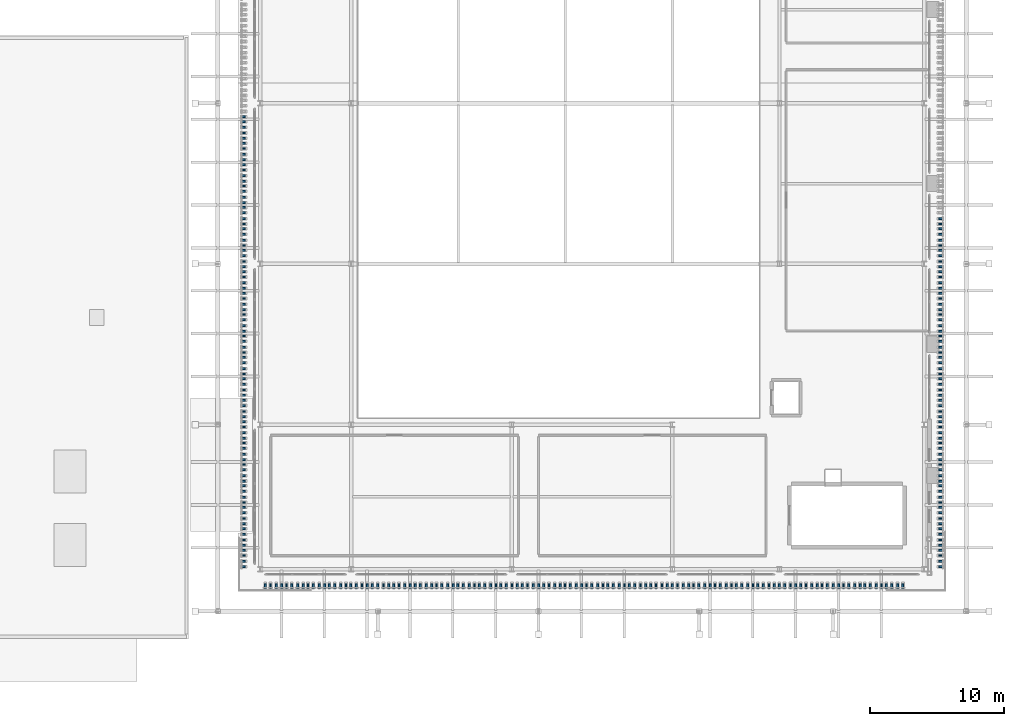
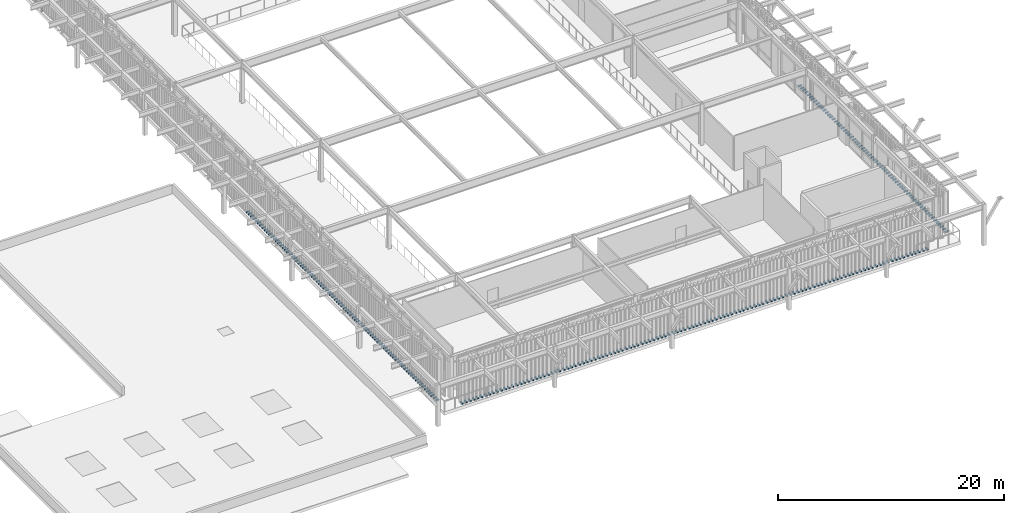
# One storey, part 106 of 126: 271 discrete accessories.
"""IFC4 building model written with IfcOpenShell, lengths in metres."""

from ifc_helpers import new_model, si_unit, derived_unit, direction, frame, origin, origin_2d, place, context, subcontext, project, spatial, rectangle, extrude, material, layer, layer_set, type_object, element, save


model = new_model("IFC4")

# Units and contexts
model_context = context("Model", 3, precision=1e-05, world=origin(), true_north=direction((0.0, 1.0)))
body_context = subcontext(model_context, "Body", "Model", "MODEL_VIEW")
ifc_project = project(units=[si_unit("LENGTHUNIT", "METRE"), si_unit("AREAUNIT", "SQUARE_METRE"), si_unit("VOLUMEUNIT", "CUBIC_METRE"), si_unit("PLANEANGLEUNIT", "RADIAN"), si_unit("MASSUNIT", "GRAM", prefix="KILO"), derived_unit("THERMALTRANSMITTANCEUNIT", [(si_unit("MASSUNIT", "GRAM", prefix="KILO"), 1), (si_unit("TIMEUNIT", "SECOND"), -3), (si_unit("THERMODYNAMICTEMPERATUREUNIT", "KELVIN"), -1)])], contexts=[model_context])

# Site, building, storey
site_placement = place(None, origin())
site = spatial("IfcSite", under=ifc_project, at=site_placement, CompositionType="ELEMENT")
building_placement = place(site_placement, origin())
building = spatial("IfcBuilding", under=site, at=building_placement, Name="Valcora Ridge Arena", CompositionType="ELEMENT")
storey_placement = place(building_placement, frame((0.0, 0.0, 11.39990234375)))
storey = spatial("IfcBuildingStorey", under=building, at=storey_placement, Name="L02", CompositionType="ELEMENT", Elevation=11.39990234375)

# Discrete accessories
ifc_material = material(Name="Austenitic stainless steel Grade 316 fixing bracket", Category="steel")
ifc_layer = layer(ifc_material, 0.139892578125, Name="Austenitic stainless steel Grade 316 fixing bracket")
ifc_layer_set = layer_set([ifc_layer], Name="Austenitic stainless steel Grade 316 fixing bracket")
discrete_accessory_type = type_object("IfcDiscreteAccessoryType", Name="TY-DISCRETEACCESSORY-BRK-FIN-SS", PredefinedType="BRACKET", material=ifc_layer_set)
for number, where, z_axis, x_axis, name in (
    (1, (135.929931640625, 5.3798828125, 0.0), (0.0, 0.0, 1.0), (1.0, 0.0, 0.0), "BRK-FIN-SS ACC-BK-0001"),
    (2, (188.070068359375, 5.3798828125, 0.0), (0.0, 0.0, 1.0), (1.0, 0.0, 0.0), "BRK-FIN-SS ACC-BK-0002"),
    (3, (135.929931640625, 5.780029296875, 0.0), (0.0, 0.0, 1.0), (1.0, 0.0, 0.0), "BRK-FIN-SS ACC-BK-0003"),
    (4, (188.070068359375, 5.780029296875, 0.0), (0.0, 0.0, 1.0), (1.0, 0.0, 0.0), "BRK-FIN-SS ACC-BK-0004"),
    (5, (135.929931640625, 6.219970703125, 0.0), (0.0, 0.0, 1.0), (1.0, 0.0, 0.0), "BRK-FIN-SS ACC-BK-0005"),
    (6, (188.070068359375, 6.219970703125, 0.0), (0.0, 0.0, 1.0), (1.0, 0.0, 0.0), "BRK-FIN-SS ACC-BK-0006"),
    (7, (135.929931640625, 6.6201171875, 0.0), (0.0, 0.0, 1.0), (1.0, 0.0, 0.0), "BRK-FIN-SS ACC-BK-0007"),
    (8, (188.070068359375, 6.6201171875, 0.0), (0.0, 0.0, 1.0), (1.0, 0.0, 0.0), "BRK-FIN-SS ACC-BK-0008"),
    (9, (135.929931640625, 6.97998046875, 0.0), (0.0, 0.0, 1.0), (1.0, 0.0, 0.0), "BRK-FIN-SS ACC-BK-0009"),
    (10, (188.070068359375, 6.97998046875, 0.0), (0.0, 0.0, 1.0), (1.0, 0.0, 0.0), "BRK-FIN-SS ACC-BK-0010"),
    (11, (135.929931640625, 7.3798828125, 0.0), (0.0, 0.0, 1.0), (1.0, 0.0, 0.0), "BRK-FIN-SS ACC-BK-0011"),
    (12, (188.070068359375, 7.3798828125, 0.0), (0.0, 0.0, 1.0), (1.0, 0.0, 0.0), "BRK-FIN-SS ACC-BK-0012"),
    (13, (135.929931640625, 7.820068359375, 0.0), (0.0, 0.0, 1.0), (1.0, 0.0, 0.0), "BRK-FIN-SS ACC-BK-0013"),
    (14, (188.070068359375, 7.820068359375, 0.0), (0.0, 0.0, 1.0), (1.0, 0.0, 0.0), "BRK-FIN-SS ACC-BK-0014"),
    (15, (135.929931640625, 8.219970703125, 0.0), (0.0, 0.0, 1.0), (1.0, 0.0, 0.0), "BRK-FIN-SS ACC-BK-0015"),
    (16, (188.070068359375, 8.219970703125, 0.0), (0.0, 0.0, 1.0), (1.0, 0.0, 0.0), "BRK-FIN-SS ACC-BK-0016"),
    (17, (135.929931640625, 8.580078125, 0.0), (0.0, 0.0, 1.0), (1.0, 0.0, 0.0), "BRK-FIN-SS ACC-BK-0017"),
    (18, (188.070068359375, 8.580078125, 0.0), (0.0, 0.0, 1.0), (1.0, 0.0, 0.0), "BRK-FIN-SS ACC-BK-0018"),
    (19, (135.929931640625, 8.97998046875, 0.0), (0.0, 0.0, 1.0), (1.0, 0.0, 0.0), "BRK-FIN-SS ACC-BK-0019"),
    (20, (188.070068359375, 8.97998046875, 0.0), (0.0, 0.0, 1.0), (1.0, 0.0, 0.0), "BRK-FIN-SS ACC-BK-0020"),
    (21, (135.929931640625, 9.419921875, 0.0), (0.0, 0.0, 1.0), (1.0, 0.0, 0.0), "BRK-FIN-SS ACC-BK-0021"),
    (22, (188.070068359375, 9.419921875, 0.0), (0.0, 0.0, 1.0), (1.0, 0.0, 0.0), "BRK-FIN-SS ACC-BK-0022"),
    (23, (135.929931640625, 9.820068359375, 0.0), (0.0, 0.0, 1.0), (1.0, 0.0, 0.0), "BRK-FIN-SS ACC-BK-0023"),
    (24, (188.070068359375, 9.820068359375, 0.0), (0.0, 0.0, 1.0), (1.0, 0.0, 0.0), "BRK-FIN-SS ACC-BK-0024"),
    (25, (135.929931640625, 10.179931640625, 0.0), (0.0, 0.0, 1.0), (1.0, 0.0, 0.0), "BRK-FIN-SS ACC-BK-0025"),
    (26, (188.070068359375, 10.179931640625, 0.0), (0.0, 0.0, 1.0), (1.0, 0.0, 0.0), "BRK-FIN-SS ACC-BK-0026"),
    (27, (135.929931640625, 10.580078125, 0.0), (0.0, 0.0, 1.0), (1.0, 0.0, 0.0), "BRK-FIN-SS ACC-BK-0027"),
    (28, (188.070068359375, 10.580078125, 0.0), (0.0, 0.0, 1.0), (1.0, 0.0, 0.0), "BRK-FIN-SS ACC-BK-0028"),
    (29, (135.929931640625, 11.02001953125, 0.0), (0.0, 0.0, 1.0), (1.0, 0.0, 0.0), "BRK-FIN-SS ACC-BK-0029"),
    (30, (188.070068359375, 11.02001953125, 0.0), (0.0, 0.0, 1.0), (1.0, 0.0, 0.0), "BRK-FIN-SS ACC-BK-0030"),
    (31, (135.929931640625, 11.419921875, 0.0), (0.0, 0.0, 1.0), (1.0, 0.0, 0.0), "BRK-FIN-SS ACC-BK-0031"),
    (32, (188.070068359375, 11.419921875, 0.0), (0.0, 0.0, 1.0), (1.0, 0.0, 0.0), "BRK-FIN-SS ACC-BK-0032"),
    (33, (135.929931640625, 11.780029296875, 0.0), (0.0, 0.0, 1.0), (1.0, 0.0, 0.0), "BRK-FIN-SS ACC-BK-0033"),
    (34, (188.070068359375, 11.780029296875, 0.0), (0.0, 0.0, 1.0), (1.0, 0.0, 0.0), "BRK-FIN-SS ACC-BK-0034"),
    (35, (135.929931640625, 12.179931640625, 0.0), (0.0, 0.0, 1.0), (1.0, 0.0, 0.0), "BRK-FIN-SS ACC-BK-0035"),
    (36, (188.070068359375, 12.179931640625, 0.0), (0.0, 0.0, 1.0), (1.0, 0.0, 0.0), "BRK-FIN-SS ACC-BK-0036"),
    (37, (135.929931640625, 12.6201171875, 0.0), (0.0, 0.0, 1.0), (1.0, 0.0, 0.0), "BRK-FIN-SS ACC-BK-0037"),
    (38, (188.070068359375, 12.6201171875, 0.0), (0.0, 0.0, 1.0), (1.0, 0.0, 0.0), "BRK-FIN-SS ACC-BK-0038"),
    (39, (135.929931640625, 13.02001953125, 0.0), (0.0, 0.0, 1.0), (1.0, 0.0, 0.0), "BRK-FIN-SS ACC-BK-0039"),
    (40, (188.070068359375, 13.02001953125, 0.0), (0.0, 0.0, 1.0), (1.0, 0.0, 0.0), "BRK-FIN-SS ACC-BK-0040"),
    (41, (135.929931640625, 13.3798828125, 0.0), (0.0, 0.0, 1.0), (1.0, 0.0, 0.0), "BRK-FIN-SS ACC-BK-0041"),
    (42, (188.070068359375, 13.3798828125, 0.0), (0.0, 0.0, 1.0), (1.0, 0.0, 0.0), "BRK-FIN-SS ACC-BK-0042"),
    (43, (135.929931640625, 13.780029296875, 0.0), (0.0, 0.0, 1.0), (1.0, 0.0, 0.0), "BRK-FIN-SS ACC-BK-0043"),
    (44, (188.070068359375, 13.780029296875, 0.0), (0.0, 0.0, 1.0), (1.0, 0.0, 0.0), "BRK-FIN-SS ACC-BK-0044"),
    (45, (135.929931640625, 14.219970703125, 0.0), (0.0, 0.0, 1.0), (1.0, 0.0, 0.0), "BRK-FIN-SS ACC-BK-0045"),
    (46, (188.070068359375, 14.219970703125, 0.0), (0.0, 0.0, 1.0), (1.0, 0.0, 0.0), "BRK-FIN-SS ACC-BK-0046"),
    (47, (135.929931640625, 14.6201171875, 0.0), (0.0, 0.0, 1.0), (1.0, 0.0, 0.0), "BRK-FIN-SS ACC-BK-0047"),
    (48, (188.070068359375, 14.6201171875, 0.0), (0.0, 0.0, 1.0), (1.0, 0.0, 0.0), "BRK-FIN-SS ACC-BK-0048"),
    (49, (135.929931640625, 14.97998046875, 0.0), (0.0, 0.0, 1.0), (1.0, 0.0, 0.0), "BRK-FIN-SS ACC-BK-0049"),
    (50, (188.070068359375, 14.97998046875, 0.0), (0.0, 0.0, 1.0), (1.0, 0.0, 0.0), "BRK-FIN-SS ACC-BK-0050"),
    (51, (135.929931640625, 15.3798828125, 0.0), (0.0, 0.0, 1.0), (1.0, 0.0, 0.0), "BRK-FIN-SS ACC-BK-0051"),
    (52, (188.070068359375, 15.3798828125, 0.0), (0.0, 0.0, 1.0), (1.0, 0.0, 0.0), "BRK-FIN-SS ACC-BK-0052"),
    (53, (135.929931640625, 15.820068359375, 0.0), (0.0, 0.0, 1.0), (1.0, 0.0, 0.0), "BRK-FIN-SS ACC-BK-0053"),
    (54, (188.070068359375, 15.820068359375, 0.0), (0.0, 0.0, 1.0), (1.0, 0.0, 0.0), "BRK-FIN-SS ACC-BK-0054"),
    (55, (135.929931640625, 16.219970703125, 0.0), (0.0, 0.0, 1.0), (1.0, 0.0, 0.0), "BRK-FIN-SS ACC-BK-0055"),
    (56, (188.070068359375, 16.219970703125, 0.0), (0.0, 0.0, 1.0), (1.0, 0.0, 0.0), "BRK-FIN-SS ACC-BK-0056"),
    (57, (135.929931640625, 16.580078125, 0.0), (0.0, 0.0, 1.0), (1.0, 0.0, 0.0), "BRK-FIN-SS ACC-BK-0057"),
    (58, (188.070068359375, 16.580078125, 0.0), (0.0, 0.0, 1.0), (1.0, 0.0, 0.0), "BRK-FIN-SS ACC-BK-0058"),
    (59, (135.929931640625, 16.97998046875, 0.0), (0.0, 0.0, 1.0), (1.0, 0.0, 0.0), "BRK-FIN-SS ACC-BK-0059"),
    (60, (188.070068359375, 16.97998046875, 0.0), (0.0, 0.0, 1.0), (1.0, 0.0, 0.0), "BRK-FIN-SS ACC-BK-0060"),
    (61, (135.929931640625, 17.419921875, 0.0), (0.0, 0.0, 1.0), (1.0, 0.0, 0.0), "BRK-FIN-SS ACC-BK-0061"),
    (62, (188.070068359375, 17.419921875, 0.0), (0.0, 0.0, 1.0), (1.0, 0.0, 0.0), "BRK-FIN-SS ACC-BK-0062"),
    (63, (135.929931640625, 17.820068359375, 0.0), (0.0, 0.0, 1.0), (1.0, 0.0, 0.0), "BRK-FIN-SS ACC-BK-0063"),
    (64, (188.070068359375, 17.820068359375, 0.0), (0.0, 0.0, 1.0), (1.0, 0.0, 0.0), "BRK-FIN-SS ACC-BK-0064"),
    (65, (135.929931640625, 18.179931640625, 0.0), (0.0, 0.0, 1.0), (1.0, 0.0, 0.0), "BRK-FIN-SS ACC-BK-0065"),
    (66, (188.070068359375, 18.179931640625, 0.0), (0.0, 0.0, 1.0), (1.0, 0.0, 0.0), "BRK-FIN-SS ACC-BK-0066"),
    (67, (135.929931640625, 18.580078125, 0.0), (0.0, 0.0, 1.0), (1.0, 0.0, 0.0), "BRK-FIN-SS ACC-BK-0067"),
    (68, (188.070068359375, 18.580078125, 0.0), (0.0, 0.0, 1.0), (1.0, 0.0, 0.0), "BRK-FIN-SS ACC-BK-0068"),
    (69, (135.929931640625, 19.02001953125, 0.0), (0.0, 0.0, 1.0), (1.0, 0.0, 0.0), "BRK-FIN-SS ACC-BK-0069"),
    (70, (188.070068359375, 19.02001953125, 0.0), (0.0, 0.0, 1.0), (1.0, 0.0, 0.0), "BRK-FIN-SS ACC-BK-0070"),
    (71, (135.929931640625, 19.419921875, 0.0), (0.0, 0.0, 1.0), (1.0, 0.0, 0.0), "BRK-FIN-SS ACC-BK-0071"),
    (72, (188.070068359375, 19.419921875, 0.0), (0.0, 0.0, 1.0), (1.0, 0.0, 0.0), "BRK-FIN-SS ACC-BK-0072"),
    (73, (135.929931640625, 19.780029296875, 0.0), (0.0, 0.0, 1.0), (1.0, 0.0, 0.0), "BRK-FIN-SS ACC-BK-0073"),
    (74, (188.070068359375, 19.780029296875, 0.0), (0.0, 0.0, 1.0), (1.0, 0.0, 0.0), "BRK-FIN-SS ACC-BK-0074"),
    (75, (135.929931640625, 20.179931640625, 0.0), (0.0, 0.0, 1.0), (1.0, 0.0, 0.0), "BRK-FIN-SS ACC-BK-0075"),
    (76, (188.070068359375, 20.179931640625, 0.0), (0.0, 0.0, 1.0), (1.0, 0.0, 0.0), "BRK-FIN-SS ACC-BK-0076"),
    (77, (135.929931640625, 20.6201171875, 0.0), (0.0, 0.0, 1.0), (1.0, 0.0, 0.0), "BRK-FIN-SS ACC-BK-0077"),
    (78, (188.070068359375, 20.6201171875, 0.0), (0.0, 0.0, 1.0), (1.0, 0.0, 0.0), "BRK-FIN-SS ACC-BK-0078"),
    (79, (135.929931640625, 21.02001953125, 0.0), (0.0, 0.0, 1.0), (1.0, 0.0, 0.0), "BRK-FIN-SS ACC-BK-0079"),
    (80, (188.070068359375, 21.02001953125, 0.0), (0.0, 0.0, 1.0), (1.0, 0.0, 0.0), "BRK-FIN-SS ACC-BK-0080"),
    (81, (135.929931640625, 21.3798828125, 0.0), (0.0, 0.0, 1.0), (1.0, 0.0, 0.0), "BRK-FIN-SS ACC-BK-0081"),
    (82, (188.070068359375, 21.3798828125, 0.0), (0.0, 0.0, 1.0), (1.0, 0.0, 0.0), "BRK-FIN-SS ACC-BK-0082"),
    (83, (135.929931640625, 21.780029296875, 0.0), (0.0, 0.0, 1.0), (1.0, 0.0, 0.0), "BRK-FIN-SS ACC-BK-0083"),
    (84, (188.070068359375, 21.780029296875, 0.0), (0.0, 0.0, 1.0), (1.0, 0.0, 0.0), "BRK-FIN-SS ACC-BK-0084"),
    (85, (135.929931640625, 22.219970703125, 0.0), (0.0, 0.0, 1.0), (1.0, 0.0, 0.0), "BRK-FIN-SS ACC-BK-0085"),
    (86, (188.070068359375, 22.219970703125, 0.0), (0.0, 0.0, 1.0), (1.0, 0.0, 0.0), "BRK-FIN-SS ACC-BK-0086"),
    (87, (135.929931640625, 22.6201171875, 0.0), (0.0, 0.0, 1.0), (1.0, 0.0, 0.0), "BRK-FIN-SS ACC-BK-0087"),
    (88, (188.070068359375, 22.6201171875, 0.0), (0.0, 0.0, 1.0), (1.0, 0.0, 0.0), "BRK-FIN-SS ACC-BK-0088"),
    (89, (135.929931640625, 22.97998046875, 0.0), (0.0, 0.0, 1.0), (1.0, 0.0, 0.0), "BRK-FIN-SS ACC-BK-0089"),
    (90, (188.070068359375, 22.97998046875, 0.0), (0.0, 0.0, 1.0), (1.0, 0.0, 0.0), "BRK-FIN-SS ACC-BK-0090"),
    (91, (135.929931640625, 23.3798828125, 0.0), (0.0, 0.0, 1.0), (1.0, 0.0, 0.0), "BRK-FIN-SS ACC-BK-0091"),
    (92, (188.070068359375, 23.3798828125, 0.0), (0.0, 0.0, 1.0), (1.0, 0.0, 0.0), "BRK-FIN-SS ACC-BK-0092"),
    (93, (135.929931640625, 23.820068359375, 0.0), (0.0, 0.0, 1.0), (1.0, 0.0, 0.0), "BRK-FIN-SS ACC-BK-0093"),
    (94, (188.070068359375, 23.820068359375, 0.0), (0.0, 0.0, 1.0), (1.0, 0.0, 0.0), "BRK-FIN-SS ACC-BK-0094"),
    (95, (135.929931640625, 24.219970703125, 0.0), (0.0, 0.0, 1.0), (1.0, 0.0, 0.0), "BRK-FIN-SS ACC-BK-0095"),
    (96, (188.070068359375, 24.219970703125, 0.0), (0.0, 0.0, 1.0), (1.0, 0.0, 0.0), "BRK-FIN-SS ACC-BK-0096"),
    (97, (135.929931640625, 24.580078125, 0.0), (0.0, 0.0, 1.0), (1.0, 0.0, 0.0), "BRK-FIN-SS ACC-BK-0097"),
    (98, (188.070068359375, 24.580078125, 0.0), (0.0, 0.0, 1.0), (1.0, 0.0, 0.0), "BRK-FIN-SS ACC-BK-0098"),
    (99, (135.929931640625, 24.97998046875, 0.0), (0.0, 0.0, 1.0), (1.0, 0.0, 0.0), "BRK-FIN-SS ACC-BK-0099"),
    (100, (188.070068359375, 24.97998046875, 0.0), (0.0, 0.0, 1.0), (1.0, 0.0, 0.0), "BRK-FIN-SS ACC-BK-0100"),
    (101, (135.929931640625, 25.419921875, 0.0), (0.0, 0.0, 1.0), (1.0, 0.0, 0.0), "BRK-FIN-SS ACC-BK-0101"),
    (102, (188.070068359375, 25.419921875, 0.0), (0.0, 0.0, 1.0), (1.0, 0.0, 0.0), "BRK-FIN-SS ACC-BK-0102"),
    (103, (135.929931640625, 25.820068359375, 0.0), (0.0, 0.0, 1.0), (1.0, 0.0, 0.0), "BRK-FIN-SS ACC-BK-0103"),
    (104, (188.070068359375, 25.820068359375, 0.0), (0.0, 0.0, 1.0), (1.0, 0.0, 0.0), "BRK-FIN-SS ACC-BK-0104"),
    (105, (135.929931640625, 26.179931640625, 0.0), (0.0, 0.0, 1.0), (1.0, 0.0, 0.0), "BRK-FIN-SS ACC-BK-0105"),
    (106, (188.070068359375, 26.179931640625, 0.0), (0.0, 0.0, 1.0), (1.0, 0.0, 0.0), "BRK-FIN-SS ACC-BK-0106"),
    (107, (135.929931640625, 26.580078125, 0.0), (0.0, 0.0, 1.0), (1.0, 0.0, 0.0), "BRK-FIN-SS ACC-BK-0107"),
    (108, (188.070068359375, 26.580078125, 0.0), (0.0, 0.0, 1.0), (1.0, 0.0, 0.0), "BRK-FIN-SS ACC-BK-0108"),
    (109, (135.929931640625, 27.02001953125, 0.0), (0.0, 0.0, 1.0), (1.0, 0.0, 0.0), "BRK-FIN-SS ACC-BK-0109"),
    (110, (188.070068359375, 27.02001953125, 0.0), (0.0, 0.0, 1.0), (1.0, 0.0, 0.0), "BRK-FIN-SS ACC-BK-0110"),
    (111, (135.929931640625, 27.419921875, 0.0), (0.0, 0.0, 1.0), (1.0, 0.0, 0.0), "BRK-FIN-SS ACC-BK-0111"),
    (112, (188.070068359375, 27.419921875, 0.0), (0.0, 0.0, 1.0), (1.0, 0.0, 0.0), "BRK-FIN-SS ACC-BK-0112"),
    (113, (135.929931640625, 27.780029296875, 0.0), (0.0, 0.0, 1.0), (1.0, 0.0, 0.0), "BRK-FIN-SS ACC-BK-0113"),
    (114, (188.070068359375, 27.780029296875, 0.0), (0.0, 0.0, 1.0), (1.0, 0.0, 0.0), "BRK-FIN-SS ACC-BK-0114"),
    (115, (135.929931640625, 28.179931640625, 0.0), (0.0, 0.0, 1.0), (1.0, 0.0, 0.0), "BRK-FIN-SS ACC-BK-0115"),
    (116, (188.070068359375, 28.179931640625, 0.0), (0.0, 0.0, 1.0), (1.0, 0.0, 0.0), "BRK-FIN-SS ACC-BK-0116"),
    (117, (135.929931640625, 28.6201171875, 0.0), (0.0, 0.0, 1.0), (1.0, 0.0, 0.0), "BRK-FIN-SS ACC-BK-0117"),
    (118, (188.070068359375, 28.6201171875, 0.0), (0.0, 0.0, 1.0), (1.0, 0.0, 0.0), "BRK-FIN-SS ACC-BK-0118"),
    (119, (135.929931640625, 29.02001953125, 0.0), (0.0, 0.0, 1.0), (1.0, 0.0, 0.0), "BRK-FIN-SS ACC-BK-0119"),
    (120, (188.070068359375, 29.02001953125, 0.0), (0.0, 0.0, 1.0), (1.0, 0.0, 0.0), "BRK-FIN-SS ACC-BK-0120"),
    (121, (135.929931640625, 29.3798828125, 0.0), (0.0, 0.0, 1.0), (1.0, 0.0, 0.0), "BRK-FIN-SS ACC-BK-0121"),
    (122, (188.070068359375, 29.3798828125, 0.0), (0.0, 0.0, 1.0), (1.0, 0.0, 0.0), "BRK-FIN-SS ACC-BK-0122"),
    (123, (135.929931640625, 29.780029296875, 0.0), (0.0, 0.0, 1.0), (1.0, 0.0, 0.0), "BRK-FIN-SS ACC-BK-0123"),
    (124, (188.070068359375, 29.780029296875, 0.0), (0.0, 0.0, 1.0), (1.0, 0.0, 0.0), "BRK-FIN-SS ACC-BK-0124"),
    (125, (135.929931640625, 30.219970703125, 0.0), (0.0, 0.0, 1.0), (1.0, 0.0, 0.0), "BRK-FIN-SS ACC-BK-0125"),
    (126, (188.070068359375, 30.219970703125, 0.0), (0.0, 0.0, 1.0), (1.0, 0.0, 0.0), "BRK-FIN-SS ACC-BK-0126"),
    (127, (135.929931640625, 30.6201171875, 0.0), (0.0, 0.0, 1.0), (1.0, 0.0, 0.0), "BRK-FIN-SS ACC-BK-0127"),
    (128, (188.070068359375, 30.6201171875, 0.0), (0.0, 0.0, 1.0), (1.0, 0.0, 0.0), "BRK-FIN-SS ACC-BK-0128"),
    (129, (135.929931640625, 30.97998046875, 0.0), (0.0, 0.0, 1.0), (1.0, 0.0, 0.0), "BRK-FIN-SS ACC-BK-0129"),
    (130, (188.070068359375, 30.97998046875, 0.0), (0.0, 0.0, 1.0), (1.0, 0.0, 0.0), "BRK-FIN-SS ACC-BK-0130"),
    (131, (135.929931640625, 31.3798828125, 0.0), (0.0, 0.0, 1.0), (1.0, 0.0, 0.0), "BRK-FIN-SS ACC-BK-0131"),
    (132, (188.070068359375, 31.3798828125, 0.0), (0.0, 0.0, 1.0), (1.0, 0.0, 0.0), "BRK-FIN-SS ACC-BK-0132"),
    (133, (135.929931640625, 31.820068359375, 0.0), (0.0, 0.0, 1.0), (1.0, 0.0, 0.0), "BRK-FIN-SS ACC-BK-0133"),
    (134, (135.929931640625, 32.219970703125, 0.0), (0.0, 0.0, 1.0), (1.0, 0.0, 0.0), "BRK-FIN-SS ACC-BK-0135"),
    (135, (135.929931640625, 32.580078125, 0.0), (0.0, 0.0, 1.0), (1.0, 0.0, 0.0), "BRK-FIN-SS ACC-BK-0137"),
    (136, (135.929931640625, 32.97998046875, 0.0), (0.0, 0.0, 1.0), (1.0, 0.0, 0.0), "BRK-FIN-SS ACC-BK-0139"),
    (137, (135.929931640625, 33.419921875, 0.0), (0.0, 0.0, 1.0), (1.0, 0.0, 0.0), "BRK-FIN-SS ACC-BK-0141"),
    (138, (135.929931640625, 33.820068359375, 0.0), (0.0, 0.0, 1.0), (1.0, 0.0, 0.0), "BRK-FIN-SS ACC-BK-0143"),
    (139, (135.929931640625, 34.179931640625, 0.0), (0.0, 0.0, 1.0), (1.0, 0.0, 0.0), "BRK-FIN-SS ACC-BK-0145"),
    (140, (135.929931640625, 34.580078125, 0.0), (0.0, 0.0, 1.0), (1.0, 0.0, 0.0), "BRK-FIN-SS ACC-BK-0147"),
    (141, (135.929931640625, 35.02001953125, 0.0), (0.0, 0.0, 1.0), (1.0, 0.0, 0.0), "BRK-FIN-SS ACC-BK-0149"),
    (142, (135.929931640625, 35.419921875, 0.0), (0.0, 0.0, 1.0), (1.0, 0.0, 0.0), "BRK-FIN-SS ACC-BK-0151"),
    (143, (135.929931640625, 35.780029296875, 0.0), (0.0, 0.0, 1.0), (1.0, 0.0, 0.0), "BRK-FIN-SS ACC-BK-0153"),
    (144, (135.929931640625, 36.179931640625, 0.0), (0.0, 0.0, 1.0), (1.0, 0.0, 0.0), "BRK-FIN-SS ACC-BK-0155"),
    (145, (135.929931640625, 36.6201171875, 0.0), (0.0, 0.0, 1.0), (1.0, 0.0, 0.0), "BRK-FIN-SS ACC-BK-0157"),
    (146, (135.929931640625, 37.02001953125, 0.0), (0.0, 0.0, 1.0), (1.0, 0.0, 0.0), "BRK-FIN-SS ACC-BK-0159"),
    (147, (135.929931640625, 37.3798828125, 0.0), (0.0, 0.0, 1.0), (1.0, 0.0, 0.0), "BRK-FIN-SS ACC-BK-0161"),
    (148, (135.929931640625, 37.780029296875, 0.0), (0.0, 0.0, 1.0), (1.0, 0.0, 0.0), "BRK-FIN-SS ACC-BK-0163"),
    (149, (135.929931640625, 38.219970703125, 0.0), (0.0, 0.0, 1.0), (1.0, 0.0, 0.0), "BRK-FIN-SS ACC-BK-0165"),
    (150, (135.929931640625, 38.6201171875, 0.0), (0.0, 0.0, 1.0), (1.0, 0.0, 0.0), "BRK-FIN-SS ACC-BK-0167"),
    (151, (135.929931640625, 38.97998046875, 0.0), (0.0, 0.0, 1.0), (1.0, 0.0, 0.0), "BRK-FIN-SS ACC-BK-0169"),
    (152, (137.580078125, 3.929931640625, 0.0), (0.0, 0.0, 1.0), (0.0, 1.0, 0.0), "BRK-FIN-SS ACC-BK-0361"),
    (153, (137.97998046875, 3.929931640625, 0.0), (0.0, 0.0, 1.0), (0.0, 1.0, 0.0), "BRK-FIN-SS ACC-BK-0363"),
    (154, (138.419921875, 3.929931640625, 0.0), (0.0, 0.0, 1.0), (0.0, 1.0, 0.0), "BRK-FIN-SS ACC-BK-0365"),
    (155, (138.820068359375, 3.929931640625, 0.0), (0.0, 0.0, 1.0), (0.0, 1.0, 0.0), "BRK-FIN-SS ACC-BK-0367"),
    (156, (139.179931640625, 3.929931640625, 0.0), (0.0, 0.0, 1.0), (0.0, 1.0, 0.0), "BRK-FIN-SS ACC-BK-0369"),
    (157, (139.580078125, 3.929931640625, 0.0), (0.0, 0.0, 1.0), (0.0, 1.0, 0.0), "BRK-FIN-SS ACC-BK-0371"),
    (158, (140.02001953125, 3.929931640625, 0.0), (0.0, 0.0, 1.0), (0.0, 1.0, 0.0), "BRK-FIN-SS ACC-BK-0373"),
    (159, (140.419921875, 3.929931640625, 0.0), (0.0, 0.0, 1.0), (0.0, 1.0, 0.0), "BRK-FIN-SS ACC-BK-0375"),
    (160, (140.780029296875, 3.929931640625, 0.0), (0.0, 0.0, 1.0), (0.0, 1.0, 0.0), "BRK-FIN-SS ACC-BK-0377"),
    (161, (141.179931640625, 3.929931640625, 0.0), (0.0, 0.0, 1.0), (0.0, 1.0, 0.0), "BRK-FIN-SS ACC-BK-0379"),
    (162, (141.6201171875, 3.929931640625, 0.0), (0.0, 0.0, 1.0), (0.0, 1.0, 0.0), "BRK-FIN-SS ACC-BK-0381"),
    (163, (142.02001953125, 3.929931640625, 0.0), (0.0, 0.0, 1.0), (0.0, 1.0, 0.0), "BRK-FIN-SS ACC-BK-0383"),
    (164, (142.3798828125, 3.929931640625, 0.0), (0.0, 0.0, 1.0), (0.0, 1.0, 0.0), "BRK-FIN-SS ACC-BK-0385"),
    (165, (142.780029296875, 3.929931640625, 0.0), (0.0, 0.0, 1.0), (0.0, 1.0, 0.0), "BRK-FIN-SS ACC-BK-0387"),
    (166, (143.219970703125, 3.929931640625, 0.0), (0.0, 0.0, 1.0), (0.0, 1.0, 0.0), "BRK-FIN-SS ACC-BK-0389"),
    (167, (143.6201171875, 3.929931640625, 0.0), (0.0, 0.0, 1.0), (0.0, 1.0, 0.0), "BRK-FIN-SS ACC-BK-0391"),
    (168, (143.97998046875, 3.929931640625, 0.0), (0.0, 0.0, 1.0), (0.0, 1.0, 0.0), "BRK-FIN-SS ACC-BK-0393"),
    (169, (144.3798828125, 3.929931640625, 0.0), (0.0, 0.0, 1.0), (0.0, 1.0, 0.0), "BRK-FIN-SS ACC-BK-0395"),
    (170, (144.820068359375, 3.929931640625, 0.0), (0.0, 0.0, 1.0), (0.0, 1.0, 0.0), "BRK-FIN-SS ACC-BK-0397"),
    (171, (145.219970703125, 3.929931640625, 0.0), (0.0, 0.0, 1.0), (0.0, 1.0, 0.0), "BRK-FIN-SS ACC-BK-0399"),
    (172, (145.580078125, 3.929931640625, 0.0), (0.0, 0.0, 1.0), (0.0, 1.0, 0.0), "BRK-FIN-SS ACC-BK-0401"),
    (173, (145.97998046875, 3.929931640625, 0.0), (0.0, 0.0, 1.0), (0.0, 1.0, 0.0), "BRK-FIN-SS ACC-BK-0403"),
    (174, (146.419921875, 3.929931640625, 0.0), (0.0, 0.0, 1.0), (0.0, 1.0, 0.0), "BRK-FIN-SS ACC-BK-0405"),
    (175, (146.820068359375, 3.929931640625, 0.0), (0.0, 0.0, 1.0), (0.0, 1.0, 0.0), "BRK-FIN-SS ACC-BK-0407"),
    (176, (147.179931640625, 3.929931640625, 0.0), (0.0, 0.0, 1.0), (0.0, 1.0, 0.0), "BRK-FIN-SS ACC-BK-0409"),
    (177, (147.580078125, 3.929931640625, 0.0), (0.0, 0.0, 1.0), (0.0, 1.0, 0.0), "BRK-FIN-SS ACC-BK-0411"),
    (178, (148.02001953125, 3.929931640625, 0.0), (0.0, 0.0, 1.0), (0.0, 1.0, 0.0), "BRK-FIN-SS ACC-BK-0413"),
    (179, (148.419921875, 3.929931640625, 0.0), (0.0, 0.0, 1.0), (0.0, 1.0, 0.0), "BRK-FIN-SS ACC-BK-0415"),
    (180, (148.780029296875, 3.929931640625, 0.0), (0.0, 0.0, 1.0), (0.0, 1.0, 0.0), "BRK-FIN-SS ACC-BK-0417"),
    (181, (149.179931640625, 3.929931640625, 0.0), (0.0, 0.0, 1.0), (0.0, 1.0, 0.0), "BRK-FIN-SS ACC-BK-0419"),
    (182, (149.6201171875, 3.929931640625, 0.0), (0.0, 0.0, 1.0), (0.0, 1.0, 0.0), "BRK-FIN-SS ACC-BK-0421"),
    (183, (150.02001953125, 3.929931640625, 0.0), (0.0, 0.0, 1.0), (0.0, 1.0, 0.0), "BRK-FIN-SS ACC-BK-0423"),
    (184, (150.3798828125, 3.929931640625, 0.0), (0.0, 0.0, 1.0), (0.0, 1.0, 0.0), "BRK-FIN-SS ACC-BK-0425"),
    (185, (150.780029296875, 3.929931640625, 0.0), (0.0, 0.0, 1.0), (0.0, 1.0, 0.0), "BRK-FIN-SS ACC-BK-0427"),
    (186, (151.219970703125, 3.929931640625, 0.0), (0.0, 0.0, 1.0), (0.0, 1.0, 0.0), "BRK-FIN-SS ACC-BK-0429"),
    (187, (151.6201171875, 3.929931640625, 0.0), (0.0, 0.0, 1.0), (0.0, 1.0, 0.0), "BRK-FIN-SS ACC-BK-0431"),
    (188, (151.97998046875, 3.929931640625, 0.0), (0.0, 0.0, 1.0), (0.0, 1.0, 0.0), "BRK-FIN-SS ACC-BK-0433"),
    (189, (152.3798828125, 3.929931640625, 0.0), (0.0, 0.0, 1.0), (0.0, 1.0, 0.0), "BRK-FIN-SS ACC-BK-0435"),
    (190, (152.820068359375, 3.929931640625, 0.0), (0.0, 0.0, 1.0), (0.0, 1.0, 0.0), "BRK-FIN-SS ACC-BK-0437"),
    (191, (153.219970703125, 3.929931640625, 0.0), (0.0, 0.0, 1.0), (0.0, 1.0, 0.0), "BRK-FIN-SS ACC-BK-0439"),
    (192, (153.580078125, 3.929931640625, 0.0), (0.0, 0.0, 1.0), (0.0, 1.0, 0.0), "BRK-FIN-SS ACC-BK-0441"),
    (193, (153.97998046875, 3.929931640625, 0.0), (0.0, 0.0, 1.0), (0.0, 1.0, 0.0), "BRK-FIN-SS ACC-BK-0443"),
    (194, (154.419921875, 3.929931640625, 0.0), (0.0, 0.0, 1.0), (0.0, 1.0, 0.0), "BRK-FIN-SS ACC-BK-0445"),
    (195, (154.820068359375, 3.929931640625, 0.0), (0.0, 0.0, 1.0), (0.0, 1.0, 0.0), "BRK-FIN-SS ACC-BK-0447"),
    (196, (155.179931640625, 3.929931640625, 0.0), (0.0, 0.0, 1.0), (0.0, 1.0, 0.0), "BRK-FIN-SS ACC-BK-0449"),
    (197, (155.580078125, 3.929931640625, 0.0), (0.0, 0.0, 1.0), (0.0, 1.0, 0.0), "BRK-FIN-SS ACC-BK-0451"),
    (198, (156.02001953125, 3.929931640625, 0.0), (0.0, 0.0, 1.0), (0.0, 1.0, 0.0), "BRK-FIN-SS ACC-BK-0453"),
    (199, (156.419921875, 3.929931640625, 0.0), (0.0, 0.0, 1.0), (0.0, 1.0, 0.0), "BRK-FIN-SS ACC-BK-0455"),
    (200, (156.780029296875, 3.929931640625, 0.0), (0.0, 0.0, 1.0), (0.0, 1.0, 0.0), "BRK-FIN-SS ACC-BK-0457"),
    (201, (157.179931640625, 3.929931640625, 0.0), (0.0, 0.0, 1.0), (0.0, 1.0, 0.0), "BRK-FIN-SS ACC-BK-0459"),
    (202, (157.6201171875, 3.929931640625, 0.0), (0.0, 0.0, 1.0), (0.0, 1.0, 0.0), "BRK-FIN-SS ACC-BK-0461"),
    (203, (158.02001953125, 3.929931640625, 0.0), (0.0, 0.0, 1.0), (0.0, 1.0, 0.0), "BRK-FIN-SS ACC-BK-0463"),
    (204, (158.3798828125, 3.929931640625, 0.0), (0.0, 0.0, 1.0), (0.0, 1.0, 0.0), "BRK-FIN-SS ACC-BK-0465"),
    (205, (158.780029296875, 3.929931640625, 0.0), (0.0, 0.0, 1.0), (0.0, 1.0, 0.0), "BRK-FIN-SS ACC-BK-0467"),
    (206, (159.219970703125, 3.929931640625, 0.0), (0.0, 0.0, 1.0), (0.0, 1.0, 0.0), "BRK-FIN-SS ACC-BK-0469"),
    (207, (159.6201171875, 3.929931640625, 0.0), (0.0, 0.0, 1.0), (0.0, 1.0, 0.0), "BRK-FIN-SS ACC-BK-0471"),
    (208, (159.97998046875, 3.929931640625, 0.0), (0.0, 0.0, 1.0), (0.0, 1.0, 0.0), "BRK-FIN-SS ACC-BK-0473"),
    (209, (160.3798828125, 3.929931640625, 0.0), (0.0, 0.0, 1.0), (0.0, 1.0, 0.0), "BRK-FIN-SS ACC-BK-0475"),
    (210, (160.820068359375, 3.929931640625, 0.0), (0.0, 0.0, 1.0), (0.0, 1.0, 0.0), "BRK-FIN-SS ACC-BK-0477"),
    (211, (161.219970703125, 3.929931640625, 0.0), (0.0, 0.0, 1.0), (0.0, 1.0, 0.0), "BRK-FIN-SS ACC-BK-0479"),
    (212, (161.580078125, 3.929931640625, 0.0), (0.0, 0.0, 1.0), (0.0, 1.0, 0.0), "BRK-FIN-SS ACC-BK-0481"),
    (213, (161.97998046875, 3.929931640625, 0.0), (0.0, 0.0, 1.0), (0.0, 1.0, 0.0), "BRK-FIN-SS ACC-BK-0483"),
    (214, (162.419921875, 3.929931640625, 0.0), (0.0, 0.0, 1.0), (0.0, 1.0, 0.0), "BRK-FIN-SS ACC-BK-0485"),
    (215, (162.820068359375, 3.929931640625, 0.0), (0.0, 0.0, 1.0), (0.0, 1.0, 0.0), "BRK-FIN-SS ACC-BK-0487"),
    (216, (163.179931640625, 3.929931640625, 0.0), (0.0, 0.0, 1.0), (0.0, 1.0, 0.0), "BRK-FIN-SS ACC-BK-0489"),
    (217, (163.580078125, 3.929931640625, 0.0), (0.0, 0.0, 1.0), (0.0, 1.0, 0.0), "BRK-FIN-SS ACC-BK-0491"),
    (218, (164.02001953125, 3.929931640625, 0.0), (0.0, 0.0, 1.0), (0.0, 1.0, 0.0), "BRK-FIN-SS ACC-BK-0492"),
    (219, (164.419921875, 3.929931640625, 0.0), (0.0, 0.0, 1.0), (0.0, 1.0, 0.0), "BRK-FIN-SS ACC-BK-0493"),
    (220, (164.780029296875, 3.929931640625, 0.0), (0.0, 0.0, 1.0), (0.0, 1.0, 0.0), "BRK-FIN-SS ACC-BK-0494"),
    (221, (165.179931640625, 3.929931640625, 0.0), (0.0, 0.0, 1.0), (0.0, 1.0, 0.0), "BRK-FIN-SS ACC-BK-0495"),
    (222, (165.6201171875, 3.929931640625, 0.0), (0.0, 0.0, 1.0), (0.0, 1.0, 0.0), "BRK-FIN-SS ACC-BK-0496"),
    (223, (166.02001953125, 3.929931640625, 0.0), (0.0, 0.0, 1.0), (0.0, 1.0, 0.0), "BRK-FIN-SS ACC-BK-0497"),
    (224, (166.3798828125, 3.929931640625, 0.0), (0.0, 0.0, 1.0), (0.0, 1.0, 0.0), "BRK-FIN-SS ACC-BK-0498"),
    (225, (166.780029296875, 3.929931640625, 0.0), (0.0, 0.0, 1.0), (0.0, 1.0, 0.0), "BRK-FIN-SS ACC-BK-0499"),
    (226, (167.219970703125, 3.929931640625, 0.0), (0.0, 0.0, 1.0), (0.0, 1.0, 0.0), "BRK-FIN-SS ACC-BK-0500"),
    (227, (167.6201171875, 3.929931640625, 0.0), (0.0, 0.0, 1.0), (0.0, 1.0, 0.0), "BRK-FIN-SS ACC-BK-0501"),
    (228, (167.97998046875, 3.929931640625, 0.0), (0.0, 0.0, 1.0), (0.0, 1.0, 0.0), "BRK-FIN-SS ACC-BK-0502"),
    (229, (168.3798828125, 3.929931640625, 0.0), (0.0, 0.0, 1.0), (0.0, 1.0, 0.0), "BRK-FIN-SS ACC-BK-0503"),
    (230, (168.820068359375, 3.929931640625, 0.0), (0.0, 0.0, 1.0), (0.0, 1.0, 0.0), "BRK-FIN-SS ACC-BK-0504"),
    (231, (169.219970703125, 3.929931640625, 0.0), (0.0, 0.0, 1.0), (0.0, 1.0, 0.0), "BRK-FIN-SS ACC-BK-0505"),
    (232, (169.580078125, 3.929931640625, 0.0), (0.0, 0.0, 1.0), (0.0, 1.0, 0.0), "BRK-FIN-SS ACC-BK-0506"),
    (233, (169.97998046875, 3.929931640625, 0.0), (0.0, 0.0, 1.0), (0.0, 1.0, 0.0), "BRK-FIN-SS ACC-BK-0507"),
    (234, (170.419921875, 3.929931640625, 0.0), (0.0, 0.0, 1.0), (0.0, 1.0, 0.0), "BRK-FIN-SS ACC-BK-0508"),
    (235, (170.820068359375, 3.929931640625, 0.0), (0.0, 0.0, 1.0), (0.0, 1.0, 0.0), "BRK-FIN-SS ACC-BK-0509"),
    (236, (171.179931640625, 3.929931640625, 0.0), (0.0, 0.0, 1.0), (0.0, 1.0, 0.0), "BRK-FIN-SS ACC-BK-0510"),
    (237, (171.580078125, 3.929931640625, 0.0), (0.0, 0.0, 1.0), (0.0, 1.0, 0.0), "BRK-FIN-SS ACC-BK-0511"),
    (238, (172.02001953125, 3.929931640625, 0.0), (0.0, 0.0, 1.0), (0.0, 1.0, 0.0), "BRK-FIN-SS ACC-BK-0512"),
    (239, (172.419921875, 3.929931640625, 0.0), (0.0, 0.0, 1.0), (0.0, 1.0, 0.0), "BRK-FIN-SS ACC-BK-0513"),
    (240, (172.780029296875, 3.929931640625, 0.0), (0.0, 0.0, 1.0), (0.0, 1.0, 0.0), "BRK-FIN-SS ACC-BK-0514"),
    (241, (173.179931640625, 3.929931640625, 0.0), (0.0, 0.0, 1.0), (0.0, 1.0, 0.0), "BRK-FIN-SS ACC-BK-0515"),
    (242, (173.6201171875, 3.929931640625, 0.0), (0.0, 0.0, 1.0), (0.0, 1.0, 0.0), "BRK-FIN-SS ACC-BK-0516"),
    (243, (174.02001953125, 3.929931640625, 0.0), (0.0, 0.0, 1.0), (0.0, 1.0, 0.0), "BRK-FIN-SS ACC-BK-0517"),
    (244, (174.3798828125, 3.929931640625, 0.0), (0.0, 0.0, 1.0), (0.0, 1.0, 0.0), "BRK-FIN-SS ACC-BK-0518"),
    (245, (174.780029296875, 3.929931640625, 0.0), (0.0, 0.0, 1.0), (0.0, 1.0, 0.0), "BRK-FIN-SS ACC-BK-0519"),
    (246, (175.219970703125, 3.929931640625, 0.0), (0.0, 0.0, 1.0), (0.0, 1.0, 0.0), "BRK-FIN-SS ACC-BK-0520"),
    (247, (175.6201171875, 3.929931640625, 0.0), (0.0, 0.0, 1.0), (0.0, 1.0, 0.0), "BRK-FIN-SS ACC-BK-0521"),
    (248, (175.97998046875, 3.929931640625, 0.0), (0.0, 0.0, 1.0), (0.0, 1.0, 0.0), "BRK-FIN-SS ACC-BK-0522"),
    (249, (176.3798828125, 3.929931640625, 0.0), (0.0, 0.0, 1.0), (0.0, 1.0, 0.0), "BRK-FIN-SS ACC-BK-0523"),
    (250, (176.820068359375, 3.929931640625, 0.0), (0.0, 0.0, 1.0), (0.0, 1.0, 0.0), "BRK-FIN-SS ACC-BK-0524"),
    (251, (177.219970703125, 3.929931640625, 0.0), (0.0, 0.0, 1.0), (0.0, 1.0, 0.0), "BRK-FIN-SS ACC-BK-0525"),
    (252, (177.580078125, 3.929931640625, 0.0), (0.0, 0.0, 1.0), (0.0, 1.0, 0.0), "BRK-FIN-SS ACC-BK-0526"),
    (253, (177.97998046875, 3.929931640625, 0.0), (0.0, 0.0, 1.0), (0.0, 1.0, 0.0), "BRK-FIN-SS ACC-BK-0527"),
    (254, (178.419921875, 3.929931640625, 0.0), (0.0, 0.0, 1.0), (0.0, 1.0, 0.0), "BRK-FIN-SS ACC-BK-0528"),
    (255, (178.820068359375, 3.929931640625, 0.0), (0.0, 0.0, 1.0), (0.0, 1.0, 0.0), "BRK-FIN-SS ACC-BK-0529"),
    (256, (179.179931640625, 3.929931640625, 0.0), (0.0, 0.0, 1.0), (0.0, 1.0, 0.0), "BRK-FIN-SS ACC-BK-0531"),
    (257, (179.580078125, 3.929931640625, 0.0), (0.0, 0.0, 1.0), (0.0, 1.0, 0.0), "BRK-FIN-SS ACC-BK-0533"),
    (258, (180.02001953125, 3.929931640625, 0.0), (0.0, 0.0, 1.0), (0.0, 1.0, 0.0), "BRK-FIN-SS ACC-BK-0535"),
    (259, (180.419921875, 3.929931640625, 0.0), (0.0, 0.0, 1.0), (0.0, 1.0, 0.0), "BRK-FIN-SS ACC-BK-0537"),
    (260, (180.780029296875, 3.929931640625, 0.0), (0.0, 0.0, 1.0), (0.0, 1.0, 0.0), "BRK-FIN-SS ACC-BK-0539"),
    (261, (181.179931640625, 3.929931640625, 0.0), (0.0, 0.0, 1.0), (0.0, 1.0, 0.0), "BRK-FIN-SS ACC-BK-0541"),
    (262, (181.6201171875, 3.929931640625, 0.0), (0.0, 0.0, 1.0), (0.0, 1.0, 0.0), "BRK-FIN-SS ACC-BK-0543"),
    (263, (182.02001953125, 3.929931640625, 0.0), (0.0, 0.0, 1.0), (0.0, 1.0, 0.0), "BRK-FIN-SS ACC-BK-0545"),
    (264, (182.3798828125, 3.929931640625, 0.0), (0.0, 0.0, 1.0), (0.0, 1.0, 0.0), "BRK-FIN-SS ACC-BK-0547"),
    (265, (182.780029296875, 3.929931640625, 0.0), (0.0, 0.0, 1.0), (0.0, 1.0, 0.0), "BRK-FIN-SS ACC-BK-0549"),
    (266, (183.219970703125, 3.929931640625, 0.0), (0.0, 0.0, 1.0), (0.0, 1.0, 0.0), "BRK-FIN-SS ACC-BK-0551"),
    (267, (183.6201171875, 3.929931640625, 0.0), (0.0, 0.0, 1.0), (0.0, 1.0, 0.0), "BRK-FIN-SS ACC-BK-0553"),
    (268, (183.97998046875, 3.929931640625, 0.0), (0.0, 0.0, 1.0), (0.0, 1.0, 0.0), "BRK-FIN-SS ACC-BK-0555"),
    (269, (184.3798828125, 3.929931640625, 0.0), (0.0, 0.0, 1.0), (0.0, 1.0, 0.0), "BRK-FIN-SS ACC-BK-0557"),
    (270, (184.820068359375, 3.929931640625, 0.0), (0.0, 0.0, 1.0), (0.0, 1.0, 0.0), "BRK-FIN-SS ACC-BK-0559"),
    (271, (185.219970703125, 3.929931640625, 0.0), (0.0, 0.0, 1.0), (0.0, 1.0, 0.0), "BRK-FIN-SS ACC-BK-0561"),
):
    element("IfcDiscreteAccessory", number, at=place(storey_placement, frame(where, z_axis=z_axis, x_axis=x_axis)), inside=storey, type_object=discrete_accessory_type, Name=name, PredefinedType="BRACKET", context=body_context, shape_type="SweptSolid", body=[
        extrude(rectangle(XDim=0.360107421875, YDim=0.139892578125, at=origin_2d()), origin(), (0.0, 0.0, 1.0), 0.139892578125),
    ])

save(model, "model.ifc")
